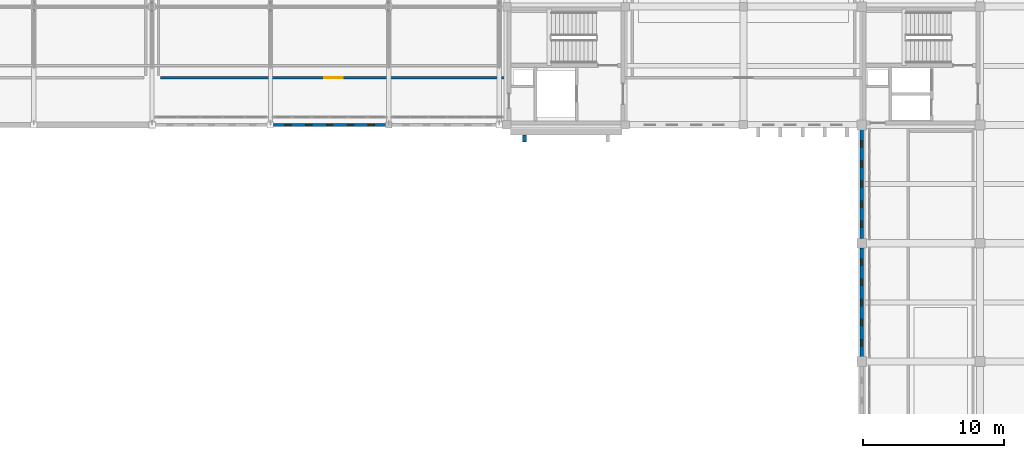
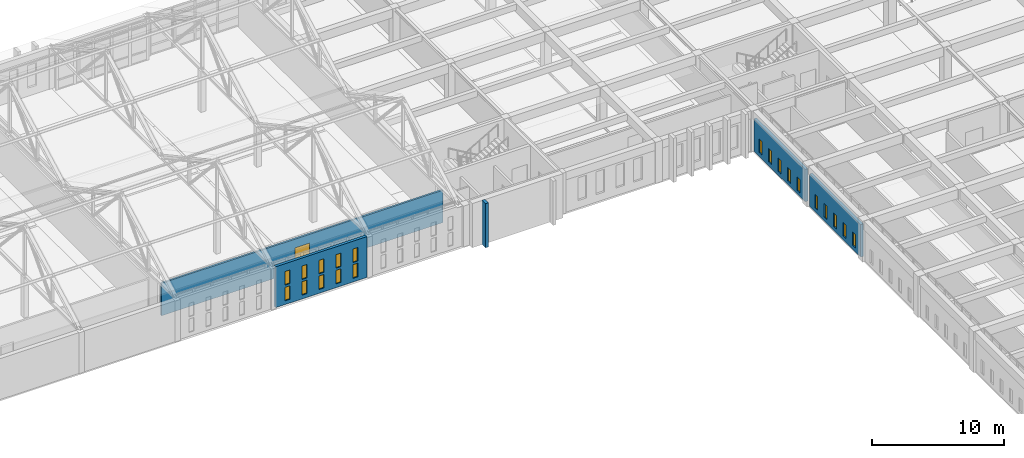
# One storey, part 91 of 110: 20 windows, 5 walls, 1 door, 21 openings.
"""IFC4 building model written with IfcOpenShell, lengths in metres."""

import ifcopenshell
import ifcopenshell.guid

model = None  # the IFC model being written
_history = None  # IfcOwnerHistory: only IFC2X3 demands one
_inside = {}  # id of a spatial element -> (the spatial element, [elements in it])
_under = {}  # id of a project, library or spatial element -> (it, [spatial elements below it])
_declared = {}  # id of a project -> (the project, [libraries it declares])
_typed = {}  # id of a type object -> (the type object, [elements of that type])
_made_of = {}  # id of a material, layer set ... -> (it, [elements and type objects made of it])


def new_model(schema):
    """Start an empty IFC model of exactly this schema.

    Asked for "IFC4X3", IfcOpenShell would pick the latest addendum, in which some entities
    have other attributes; the version numbers below select the first issue.
    IFC2X3 requires an IfcOwnerHistory on every rooted entity: one is made here for all.
    """
    global model, _history
    if schema == "IFC4X3":
        model = ifcopenshell.file(schema_version=(4, 3, 0, 0))
    else:
        model = ifcopenshell.file(schema=schema)
    _inside.clear()
    _under.clear()
    _declared.clear()
    _typed.clear()
    _made_of.clear()
    _history = None
    if model.schema == "IFC2X3":
        org = make("IfcOrganization", Name="unknown")
        user = make(
            "IfcPersonAndOrganization",
            ThePerson=make("IfcPerson", FamilyName="unknown"),
            TheOrganization=org,
        )
        app = make(
            "IfcApplication",
            ApplicationDeveloper=org,
            Version="unknown",
            ApplicationFullName="unknown",
            ApplicationIdentifier="unknown",
        )
        _history = make(
            "IfcOwnerHistory",
            OwningUser=user,
            OwningApplication=app,
            ChangeAction="ADDED",
            CreationDate=0,
        )
    return model


def make(cls, **values):
    """One entity of the class cls with the attributes given. An attribute that is None is left unset."""
    return model.create_entity(
        cls, **{name: value for name, value in values.items() if value is not None}
    )


def rooted(cls, **values):
    """An entity with a GlobalId (a new one), such as an element, a storey or a relation."""
    return make(cls, GlobalId=ifcopenshell.guid.new(), OwnerHistory=_history, **values)


def si_unit(unit_type, name, prefix=None):
    """IfcSIUnit, for example si_unit("LENGTHUNIT", "METRE", prefix="MILLI")."""
    return make("IfcSIUnit", UnitType=unit_type, Prefix=prefix, Name=name)


def assignment(units):
    """IfcUnitAssignment: the units of a project."""
    return None if units is None else make("IfcUnitAssignment", Units=units)


def point(xyz):
    """IfcCartesianPoint."""
    return None if xyz is None else make("IfcCartesianPoint", Coordinates=xyz)


def direction(xyz):
    """IfcDirection."""
    return None if xyz is None else make("IfcDirection", DirectionRatios=xyz)


def frame(location, z_axis=None, x_axis=None):
    """IfcAxis2Placement3D, a coordinate frame: its origin and axes. An axis left out is left unset."""
    return make(
        "IfcAxis2Placement3D",
        Location=point(location),
        Axis=direction(z_axis),
        RefDirection=direction(x_axis),
    )


def frame_2d(location, x_axis=None):
    """IfcAxis2Placement2D, a coordinate frame in the plane: its origin and x axis."""
    return make(
        "IfcAxis2Placement2D", Location=point(location), RefDirection=direction(x_axis)
    )


def origin():
    """The frame at (0, 0, 0) with its axes left unset."""
    return frame((0.0, 0.0, 0.0))


def place(relative_to, where):
    """IfcLocalPlacement: puts the frame where relative to a parent placement (None: the world)."""
    return make(
        "IfcLocalPlacement", PlacementRelTo=relative_to, RelativePlacement=where
    )


def context(
    kind, dimensions, precision=None, world=None, true_north=None, identifier=None
):
    """IfcGeometricRepresentationContext, for example the 3D "Model" context."""
    return make(
        "IfcGeometricRepresentationContext",
        ContextIdentifier=identifier,
        ContextType=kind,
        CoordinateSpaceDimension=dimensions,
        Precision=precision,
        WorldCoordinateSystem=world,
        TrueNorth=true_north,
    )


def subcontext(parent, identifier, kind, view, scale=None):
    """IfcGeometricRepresentationSubContext, for example "Body" below "Model"."""
    return make(
        "IfcGeometricRepresentationSubContext",
        ContextIdentifier=identifier,
        ContextType=kind,
        ParentContext=parent,
        TargetScale=scale,
        TargetView=view,
    )


def project(units=None, contexts=None):
    """IfcProject with its units and contexts."""
    return rooted(
        "IfcProject",
        Name="project",
        RepresentationContexts=contexts,
        UnitsInContext=assignment(units),
    )


def spatial(cls, under=None, at=None, **own):
    """A site, building, storey or space (cls), placed at a placement, below another one or the project."""
    s = rooted(cls, ObjectPlacement=at, **own)
    if under is not None:
        _under.setdefault(under.id(), (under, []))[1].append(s)
    return s


def profile(cls, at=None, kind="AREA", **sizes):
    """A parametric profile (cls). Its sizes go by their IFC names, for example OverallWidth=200.0."""
    return make(cls, ProfileType=kind, Position=at, **sizes)


def rectangle(**sizes):
    """IfcRectangleProfileDef."""
    return profile("IfcRectangleProfileDef", **sizes)


def extrude(swept, where, along, depth):
    """IfcExtrudedAreaSolid: the profile swept, set in the frame where, extruded along a direction by depth."""
    return make(
        "IfcExtrudedAreaSolid",
        SweptArea=swept,
        Position=where,
        ExtrudedDirection=direction(along),
        Depth=depth,
    )


def shape(context_of_items, identifier, shape_type, items):
    """IfcShapeRepresentation: the items that make up one representation, for example the "Body"."""
    return make(
        "IfcShapeRepresentation",
        ContextOfItems=context_of_items,
        RepresentationIdentifier=identifier,
        RepresentationType=shape_type,
        Items=items,
    )


def material(Name=None, Category=None):
    """IfcMaterial."""
    return make("IfcMaterial", Name=Name, Category=Category)


def layer(
    of_material, thickness, ventilated=None, Name=None, Category=None, Priority=None
):
    """IfcMaterialLayer: one layer of a wall or slab, of a material (None: an air gap)."""
    return make(
        "IfcMaterialLayer",
        Material=of_material,
        LayerThickness=thickness,
        IsVentilated=ventilated,
        Name=Name,
        Category=Category,
        Priority=Priority,
    )


def layer_set(layers, Name=None):
    """IfcMaterialLayerSet."""
    return make("IfcMaterialLayerSet", MaterialLayers=layers, LayerSetName=Name)


def made_of(thing, what):
    """Note that an element or type object is made of a material, layer set ...; save() writes the relation."""
    if what is not None:
        _made_of.setdefault(what.id(), (what, []))[1].append(thing)
    return thing


def type_object(cls, material=None, **own):
    """A type object (cls), such as IfcWallType, which elements share."""
    return made_of(rooted(cls, **own), material)


def element(
    cls,
    number,
    at=None,
    inside=None,
    cuts=None,
    type_object=None,
    material=None,
    context=None,
    identifier="Body",
    shape_type=None,
    held_by="IfcProductDefinitionShape",
    body=None,
    shapes=None,
    **own,
):
    """One element of the class cls, such as IfcWall. Its Tag is "e" and its number.

    at: its placement. inside: the storey or other place that contains it. cuts: it is an
    opening in that element (IfcRelVoidsElement). A single representation is given by context,
    identifier, shape_type and body (its items); several are given by shapes. held_by: the class
    of the entity that holds the representations. save() writes the other relations.
    """
    e = rooted(cls, Tag="e%d" % number, ObjectPlacement=at, **own)
    if body is not None:
        shapes = [shape(context, identifier, shape_type, body)]
    if shapes is not None:
        e.Representation = make(held_by, Representations=shapes)
    if inside is not None:
        _inside.setdefault(inside.id(), (inside, []))[1].append(e)
    if cuts is not None:
        rooted(
            "IfcRelVoidsElement", RelatingBuildingElement=cuts, RelatedOpeningElement=e
        )
    if type_object is not None:
        _typed.setdefault(type_object.id(), (type_object, []))[1].append(e)
    return made_of(e, material)


def fill(opening, filler):
    """IfcRelFillsElement: the door or window that sits in an opening."""
    return rooted(
        "IfcRelFillsElement",
        RelatingOpeningElement=opening,
        RelatedBuildingElement=filler,
    )


def aggregate(whole, parts):
    """IfcRelAggregates: a whole, such as a stair, and the parts it consists of."""
    return rooted("IfcRelAggregates", RelatingObject=whole, RelatedObjects=parts)


def save(model, path):
    """Write the relations noted so far, then the file.

    IfcRelAggregates (storeys below a building ...), IfcRelContainedInSpatialStructure (elements
    in a storey), IfcRelDefinesByType, IfcRelAssociatesMaterial and IfcRelDeclares: one each for
    every whole, place, type object, material and project.
    """
    for whole, parts in _under.values():
        aggregate(whole, parts)
    for where, things in _inside.values():
        rooted(
            "IfcRelContainedInSpatialStructure",
            RelatedElements=things,
            RelatingStructure=where,
        )
    for kind, things in _typed.values():
        rooted("IfcRelDefinesByType", RelatedObjects=things, RelatingType=kind)
    for what, things in _made_of.values():
        rooted("IfcRelAssociatesMaterial", RelatedObjects=things, RelatingMaterial=what)
    for by, libraries in _declared.values():
        rooted("IfcRelDeclares", RelatingContext=by, RelatedDefinitions=libraries)
    model.write(path)


model = new_model("IFC4")

# Units and contexts
model_context = context("Model", 3, precision=1e-05, world=origin(), true_north=direction((0.0, 1.0)))
body_context = subcontext(model_context, "Body", "Model", "MODEL_VIEW")
ifc_project = project(units=[si_unit("LENGTHUNIT", "METRE"), si_unit("AREAUNIT", "SQUARE_METRE"), si_unit("VOLUMEUNIT", "CUBIC_METRE"), si_unit("PLANEANGLEUNIT", "RADIAN"), si_unit("MASSUNIT", "GRAM", prefix="KILO")], contexts=[model_context])

# Site, building, storey
site_placement = place(None, origin())
site = spatial("IfcSite", under=ifc_project, at=site_placement, CompositionType="ELEMENT")
building_placement = place(site_placement, origin())
building = spatial("IfcBuilding", under=site, at=building_placement, Name="Kveldsbrygga Polytechnic", CompositionType="ELEMENT")
storey_placement = place(building_placement, frame((0.0, 0.0, 9.860107421875)))
storey = spatial("IfcBuildingStorey", under=building, at=storey_placement, Name="L02", CompositionType="ELEMENT", Elevation=9.860107421875)

# Wall
ifc_material_1 = material(Name="Fired clay brick masonry M10", Category="masonry")
ifc_layer_1 = layer(ifc_material_1, 0.260009765625)
ifc_layer_set_1 = layer_set([ifc_layer_1], Name="Fired clay brick masonry M10")
wall_type_1 = type_object("IfcWallType", Name="EW-BUTT-260", PredefinedType="SOLIDWALL", material=ifc_layer_set_1)
wall_1_placement = place(storey_placement, frame((102.050048828125, 83.300048828125, 0.0), z_axis=(0.0, 0.0, 1.0), x_axis=(0.0, -1.0, 0.0)))
element("IfcWall", 1, at=wall_1_placement, inside=storey, type_object=wall_type_1, Name="Gothic Brick Buttress Pier BCLAS-L02-X-12-10-1", PredefinedType="SOLIDWALL", context=body_context, shape_type="SweptSolid", body=[
    extrude(rectangle(XDim=0.52001953125, YDim=0.260009765625, at=frame_2d((0.260009765625, 0.0))), origin(), (0.0, 0.0, 1.0), 4.079833984375),
])

# Wall, openings, windows
ifc_layer_2 = layer(ifc_material_1, 0.239990234375)
ifc_layer_set_2 = layer_set([ifc_layer_2], Name="Fired clay brick masonry M10")
wall_type_2 = type_object("IfcWallType", Name="EW-SCRN-240", PredefinedType="SOLIDWALL", material=ifc_layer_set_2)
wall_2_placement = place(storey_placement, frame((84.2099609375, 84.0, 0.0), z_axis=(0.0, 0.0, 1.0), x_axis=(1.0, 0.0, 0.0)))
wall_2 = element("IfcWall", 2, at=wall_2_placement, inside=storey, type_object=wall_type_2, Name="Perforated Brick Corridor Screen Wall SCRW-L02-X-10-10", PredefinedType="SOLIDWALL", context=body_context, shape_type="SweptSolid", body=[
    extrude(rectangle(XDim=7.9951171875, YDim=0.239990234375, at=frame_2d((3.99755859375, 0.0))), origin(), (0.0, 0.0, 1.0), 3.77978515625),
])
opening_1_placement = place(wall_2_placement, frame((0.819580078125, 0.0, 0.35009765625)))
opening_1 = element("IfcOpeningElement", 3, at=opening_1_placement, cuts=wall_2, Name="Opening W-48", PredefinedType="OPENING", context=body_context, shape_type="SweptSolid", body=[
    extrude(rectangle(XDim=0.43994140625, YDim=1.25, at=frame_2d((0.219970703125, 0.625))), frame((0.0, 0.1298828125, 0.0), z_axis=(0.0, -1.0, 0.0), x_axis=(1.0, 0.0, 0.0)), (0.0, 0.0, 1.0), 0.260009765625),
])
opening_2_placement = place(wall_2_placement, frame((2.298583984375, 0.0, 0.35009765625)))
opening_2 = element("IfcOpeningElement", 4, at=opening_2_placement, cuts=wall_2, Name="Opening W-48", PredefinedType="OPENING", context=body_context, shape_type="SweptSolid", body=[
    extrude(rectangle(XDim=0.43994140625, YDim=1.25, at=frame_2d((0.219970703125, 0.625))), frame((0.0, 0.1298828125, 0.0), z_axis=(0.0, -1.0, 0.0), x_axis=(1.0, 0.0, 0.0)), (0.0, 0.0, 1.0), 0.260009765625),
])
opening_3_placement = place(wall_2_placement, frame((3.777587890625, 0.0, 0.35009765625)))
opening_3 = element("IfcOpeningElement", 5, at=opening_3_placement, cuts=wall_2, Name="Opening W-48", PredefinedType="OPENING", context=body_context, shape_type="SweptSolid", body=[
    extrude(rectangle(XDim=0.43994140625, YDim=1.25, at=frame_2d((0.219970703125, 0.625))), frame((0.0, 0.1298828125, 0.0), z_axis=(0.0, -1.0, 0.0), x_axis=(1.0, 0.0, 0.0)), (0.0, 0.0, 1.0), 0.260009765625),
])
opening_4_placement = place(wall_2_placement, frame((5.256591796875, 0.0, 0.35009765625)))
opening_4 = element("IfcOpeningElement", 6, at=opening_4_placement, cuts=wall_2, Name="Opening W-48", PredefinedType="OPENING", context=body_context, shape_type="SweptSolid", body=[
    extrude(rectangle(XDim=0.43994140625, YDim=1.25, at=frame_2d((0.219970703125, 0.625))), frame((0.0, 0.1298828125, 0.0), z_axis=(0.0, -1.0, 0.0), x_axis=(1.0, 0.0, 0.0)), (0.0, 0.0, 1.0), 0.260009765625),
])
opening_5_placement = place(wall_2_placement, frame((6.735595703125, 0.0, 0.35009765625)))
opening_5 = element("IfcOpeningElement", 7, at=opening_5_placement, cuts=wall_2, Name="Opening W-48", PredefinedType="OPENING", context=body_context, shape_type="SweptSolid", body=[
    extrude(rectangle(XDim=0.43994140625, YDim=1.25, at=frame_2d((0.219970703125, 0.625))), frame((0.0, 0.1298828125, 0.0), z_axis=(0.0, -1.0, 0.0), x_axis=(1.0, 0.0, 0.0)), (0.0, 0.0, 1.0), 0.260009765625),
])
opening_6_placement = place(wall_2_placement, frame((0.819580078125, 0.0, 1.800048828125)))
opening_6 = element("IfcOpeningElement", 8, at=opening_6_placement, cuts=wall_2, Name="Opening W-48", PredefinedType="OPENING", context=body_context, shape_type="SweptSolid", body=[
    extrude(rectangle(XDim=0.43994140625, YDim=1.25, at=frame_2d((0.219970703125, 0.625))), frame((0.0, 0.1298828125, 0.0), z_axis=(0.0, -1.0, 0.0), x_axis=(1.0, 0.0, 0.0)), (0.0, 0.0, 1.0), 0.260009765625),
])
opening_7_placement = place(wall_2_placement, frame((2.298583984375, 0.0, 1.800048828125)))
opening_7 = element("IfcOpeningElement", 9, at=opening_7_placement, cuts=wall_2, Name="Opening W-48", PredefinedType="OPENING", context=body_context, shape_type="SweptSolid", body=[
    extrude(rectangle(XDim=0.43994140625, YDim=1.25, at=frame_2d((0.219970703125, 0.625))), frame((0.0, 0.1298828125, 0.0), z_axis=(0.0, -1.0, 0.0), x_axis=(1.0, 0.0, 0.0)), (0.0, 0.0, 1.0), 0.260009765625),
])
opening_8_placement = place(wall_2_placement, frame((3.777587890625, 0.0, 1.800048828125)))
opening_8 = element("IfcOpeningElement", 10, at=opening_8_placement, cuts=wall_2, Name="Opening W-48", PredefinedType="OPENING", context=body_context, shape_type="SweptSolid", body=[
    extrude(rectangle(XDim=0.43994140625, YDim=1.25, at=frame_2d((0.219970703125, 0.625))), frame((0.0, 0.1298828125, 0.0), z_axis=(0.0, -1.0, 0.0), x_axis=(1.0, 0.0, 0.0)), (0.0, 0.0, 1.0), 0.260009765625),
])
opening_9_placement = place(wall_2_placement, frame((5.256591796875, 0.0, 1.800048828125)))
opening_9 = element("IfcOpeningElement", 11, at=opening_9_placement, cuts=wall_2, Name="Opening W-48", PredefinedType="OPENING", context=body_context, shape_type="SweptSolid", body=[
    extrude(rectangle(XDim=0.43994140625, YDim=1.25, at=frame_2d((0.219970703125, 0.625))), frame((0.0, 0.1298828125, 0.0), z_axis=(0.0, -1.0, 0.0), x_axis=(1.0, 0.0, 0.0)), (0.0, 0.0, 1.0), 0.260009765625),
])
opening_10_placement = place(wall_2_placement, frame((6.735595703125, 0.0, 1.800048828125)))
opening_10 = element("IfcOpeningElement", 12, at=opening_10_placement, cuts=wall_2, Name="Opening W-48", PredefinedType="OPENING", context=body_context, shape_type="SweptSolid", body=[
    extrude(rectangle(XDim=0.43994140625, YDim=1.25, at=frame_2d((0.219970703125, 0.625))), frame((0.0, 0.1298828125, 0.0), z_axis=(0.0, -1.0, 0.0), x_axis=(1.0, 0.0, 0.0)), (0.0, 0.0, 1.0), 0.260009765625),
])
ifc_material_2 = material(Name="Insulated triple low-E glass", Category="glass")
window_type = type_object("IfcWindowType", Name="WN-SCRN-044x125", PartitioningType="SINGLE_PANEL", PredefinedType="WINDOW", material=ifc_material_2)
window_1_placement = place(opening_1_placement, origin())
window_1 = element("IfcWindow", 13, at=window_1_placement, inside=storey, type_object=window_type, Name="Perforated Screen Aperture L02-X-10-10-1", OverallHeight=1.25, OverallWidth=0.43994140625, PartitioningType="SINGLE_PANEL", PredefinedType="WINDOW", context=body_context, shape_type="SweptSolid", body=[
    extrude(rectangle(XDim=0.43994140625, YDim=1.25, at=frame_2d((0.219970703125, 0.625))), frame((0.0, 0.030029296875, 0.0), z_axis=(0.0, -1.0, 0.0), x_axis=(1.0, 0.0, 0.0)), (0.0, 0.0, 1.0), 0.06005859375),
])
fill(opening_1, window_1)
window_2_placement = place(opening_2_placement, origin())
window_2 = element("IfcWindow", 14, at=window_2_placement, inside=storey, type_object=window_type, Name="Perforated Screen Aperture L02-X-10-10-2", OverallHeight=1.25, OverallWidth=0.43994140625, PartitioningType="SINGLE_PANEL", PredefinedType="WINDOW", context=body_context, shape_type="SweptSolid", body=[
    extrude(rectangle(XDim=0.43994140625, YDim=1.25, at=frame_2d((0.219970703125, 0.625))), frame((0.0, 0.030029296875, 0.0), z_axis=(0.0, -1.0, 0.0), x_axis=(1.0, 0.0, 0.0)), (0.0, 0.0, 1.0), 0.06005859375),
])
fill(opening_2, window_2)
window_3_placement = place(opening_3_placement, origin())
window_3 = element("IfcWindow", 15, at=window_3_placement, inside=storey, type_object=window_type, Name="Perforated Screen Aperture L02-X-10-10-3", OverallHeight=1.25, OverallWidth=0.43994140625, PartitioningType="SINGLE_PANEL", PredefinedType="WINDOW", context=body_context, shape_type="SweptSolid", body=[
    extrude(rectangle(XDim=0.43994140625, YDim=1.25, at=frame_2d((0.219970703125, 0.625))), frame((0.0, 0.030029296875, 0.0), z_axis=(0.0, -1.0, 0.0), x_axis=(1.0, 0.0, 0.0)), (0.0, 0.0, 1.0), 0.06005859375),
])
fill(opening_3, window_3)
window_4_placement = place(opening_4_placement, origin())
window_4 = element("IfcWindow", 16, at=window_4_placement, inside=storey, type_object=window_type, Name="Perforated Screen Aperture L02-X-10-10-4", OverallHeight=1.25, OverallWidth=0.43994140625, PartitioningType="SINGLE_PANEL", PredefinedType="WINDOW", context=body_context, shape_type="SweptSolid", body=[
    extrude(rectangle(XDim=0.43994140625, YDim=1.25, at=frame_2d((0.219970703125, 0.625))), frame((0.0, 0.030029296875, 0.0), z_axis=(0.0, -1.0, 0.0), x_axis=(1.0, 0.0, 0.0)), (0.0, 0.0, 1.0), 0.06005859375),
])
fill(opening_4, window_4)
window_5_placement = place(opening_5_placement, origin())
window_5 = element("IfcWindow", 17, at=window_5_placement, inside=storey, type_object=window_type, Name="Perforated Screen Aperture L02-X-10-10-5", OverallHeight=1.25, OverallWidth=0.43994140625, PartitioningType="SINGLE_PANEL", PredefinedType="WINDOW", context=body_context, shape_type="SweptSolid", body=[
    extrude(rectangle(XDim=0.43994140625, YDim=1.25, at=frame_2d((0.219970703125, 0.625))), frame((0.0, 0.030029296875, 0.0), z_axis=(0.0, -1.0, 0.0), x_axis=(1.0, 0.0, 0.0)), (0.0, 0.0, 1.0), 0.06005859375),
])
fill(opening_5, window_5)
window_6_placement = place(opening_6_placement, origin())
window_6 = element("IfcWindow", 18, at=window_6_placement, inside=storey, type_object=window_type, Name="Perforated Screen Aperture L02-X-10-10-6", OverallHeight=1.25, OverallWidth=0.43994140625, PartitioningType="SINGLE_PANEL", PredefinedType="WINDOW", context=body_context, shape_type="SweptSolid", body=[
    extrude(rectangle(XDim=0.43994140625, YDim=1.25, at=frame_2d((0.219970703125, 0.625))), frame((0.0, 0.030029296875, 0.0), z_axis=(0.0, -1.0, 0.0), x_axis=(1.0, 0.0, 0.0)), (0.0, 0.0, 1.0), 0.06005859375),
])
fill(opening_6, window_6)
window_7_placement = place(opening_7_placement, origin())
window_7 = element("IfcWindow", 19, at=window_7_placement, inside=storey, type_object=window_type, Name="Perforated Screen Aperture L02-X-10-10-7", OverallHeight=1.25, OverallWidth=0.43994140625, PartitioningType="SINGLE_PANEL", PredefinedType="WINDOW", context=body_context, shape_type="SweptSolid", body=[
    extrude(rectangle(XDim=0.43994140625, YDim=1.25, at=frame_2d((0.219970703125, 0.625))), frame((0.0, 0.030029296875, 0.0), z_axis=(0.0, -1.0, 0.0), x_axis=(1.0, 0.0, 0.0)), (0.0, 0.0, 1.0), 0.06005859375),
])
fill(opening_7, window_7)
window_8_placement = place(opening_8_placement, origin())
window_8 = element("IfcWindow", 20, at=window_8_placement, inside=storey, type_object=window_type, Name="Perforated Screen Aperture L02-X-10-10-8", OverallHeight=1.25, OverallWidth=0.43994140625, PartitioningType="SINGLE_PANEL", PredefinedType="WINDOW", context=body_context, shape_type="SweptSolid", body=[
    extrude(rectangle(XDim=0.43994140625, YDim=1.25, at=frame_2d((0.219970703125, 0.625))), frame((0.0, 0.030029296875, 0.0), z_axis=(0.0, -1.0, 0.0), x_axis=(1.0, 0.0, 0.0)), (0.0, 0.0, 1.0), 0.06005859375),
])
fill(opening_8, window_8)
window_9_placement = place(opening_9_placement, origin())
window_9 = element("IfcWindow", 21, at=window_9_placement, inside=storey, type_object=window_type, Name="Perforated Screen Aperture L02-X-10-10-9", OverallHeight=1.25, OverallWidth=0.43994140625, PartitioningType="SINGLE_PANEL", PredefinedType="WINDOW", context=body_context, shape_type="SweptSolid", body=[
    extrude(rectangle(XDim=0.43994140625, YDim=1.25, at=frame_2d((0.219970703125, 0.625))), frame((0.0, 0.030029296875, 0.0), z_axis=(0.0, -1.0, 0.0), x_axis=(1.0, 0.0, 0.0)), (0.0, 0.0, 1.0), 0.06005859375),
])
fill(opening_9, window_9)
window_10_placement = place(opening_10_placement, origin())
window_10 = element("IfcWindow", 22, at=window_10_placement, inside=storey, type_object=window_type, Name="Perforated Screen Aperture L02-X-10-10-10", OverallHeight=1.25, OverallWidth=0.43994140625, PartitioningType="SINGLE_PANEL", PredefinedType="WINDOW", context=body_context, shape_type="SweptSolid", body=[
    extrude(rectangle(XDim=0.43994140625, YDim=1.25, at=frame_2d((0.219970703125, 0.625))), frame((0.0, 0.030029296875, 0.0), z_axis=(0.0, -1.0, 0.0), x_axis=(1.0, 0.0, 0.0)), (0.0, 0.0, 1.0), 0.06005859375),
])
fill(opening_10, window_10)

wall_3_placement = place(storey_placement, frame((126.0, 67.52490234375, 0.0), z_axis=(0.0, 0.0, 1.0), x_axis=(0.0, 1.0, 0.0)))
wall_3 = element("IfcWall", 23, at=wall_3_placement, inside=storey, type_object=wall_type_2, Name="Perforated Brick Corridor Screen Wall SCRW-L02-Y-15-08", PredefinedType="SOLIDWALL", context=body_context, shape_type="SweptSolid", body=[
    extrude(rectangle(XDim=7.739990234375, YDim=0.239990234375, at=frame_2d((3.8701171875, 0.0))), origin(), (0.0, 0.0, 1.0), 3.0),
])
opening_11_placement = place(wall_3_placement, frame((0.7939453125, 0.0, 0.35009765625)))
opening_11 = element("IfcOpeningElement", 24, at=opening_11_placement, cuts=wall_3, Name="Opening W-48", PredefinedType="OPENING", context=body_context, shape_type="SweptSolid", body=[
    extrude(rectangle(XDim=0.43994140625, YDim=1.25, at=frame_2d((0.219970703125, 0.625))), frame((0.0, 0.1298828125, 0.0), z_axis=(0.0, -1.0, 0.0), x_axis=(1.0, 0.0, 0.0)), (0.0, 0.0, 1.0), 0.260009765625),
])
opening_12_placement = place(wall_3_placement, frame((2.221923828125, 0.0, 0.35009765625)))
opening_12 = element("IfcOpeningElement", 25, at=opening_12_placement, cuts=wall_3, Name="Opening W-48", PredefinedType="OPENING", context=body_context, shape_type="SweptSolid", body=[
    extrude(rectangle(XDim=0.43994140625, YDim=1.25, at=frame_2d((0.219970703125, 0.625))), frame((0.0, 0.1298828125, 0.0), z_axis=(0.0, -1.0, 0.0), x_axis=(1.0, 0.0, 0.0)), (0.0, 0.0, 1.0), 0.260009765625),
])
opening_13_placement = place(wall_3_placement, frame((3.64990234375, 0.0, 0.35009765625)))
opening_13 = element("IfcOpeningElement", 26, at=opening_13_placement, cuts=wall_3, Name="Opening W-48", PredefinedType="OPENING", context=body_context, shape_type="SweptSolid", body=[
    extrude(rectangle(XDim=0.43994140625, YDim=1.25, at=frame_2d((0.219970703125, 0.625))), frame((0.0, 0.1298828125, 0.0), z_axis=(0.0, -1.0, 0.0), x_axis=(1.0, 0.0, 0.0)), (0.0, 0.0, 1.0), 0.260009765625),
])
opening_14_placement = place(wall_3_placement, frame((5.077880859375, 0.0, 0.35009765625)))
opening_14 = element("IfcOpeningElement", 27, at=opening_14_placement, cuts=wall_3, Name="Opening W-48", PredefinedType="OPENING", context=body_context, shape_type="SweptSolid", body=[
    extrude(rectangle(XDim=0.43994140625, YDim=1.25, at=frame_2d((0.219970703125, 0.625))), frame((0.0, 0.1298828125, 0.0), z_axis=(0.0, -1.0, 0.0), x_axis=(1.0, 0.0, 0.0)), (0.0, 0.0, 1.0), 0.260009765625),
])
opening_15_placement = place(wall_3_placement, frame((6.506103515625, 0.0, 0.35009765625)))
opening_15 = element("IfcOpeningElement", 28, at=opening_15_placement, cuts=wall_3, Name="Opening W-48", PredefinedType="OPENING", context=body_context, shape_type="SweptSolid", body=[
    extrude(rectangle(XDim=0.43994140625, YDim=1.25, at=frame_2d((0.219970703125, 0.625))), frame((0.0, 0.1298828125, 0.0), z_axis=(0.0, -1.0, 0.0), x_axis=(1.0, 0.0, 0.0)), (0.0, 0.0, 1.0), 0.260009765625),
])
window_11_placement = place(opening_11_placement, origin())
window_11 = element("IfcWindow", 29, at=window_11_placement, inside=storey, type_object=window_type, Name="Perforated Screen Aperture L02-Y-15-08-1", OverallHeight=1.25, OverallWidth=0.43994140625, PartitioningType="SINGLE_PANEL", PredefinedType="WINDOW", context=body_context, shape_type="SweptSolid", body=[
    extrude(rectangle(XDim=0.43994140625, YDim=1.25, at=frame_2d((0.219970703125, 0.625))), frame((0.0, 0.030029296875, 0.0), z_axis=(0.0, -1.0, 0.0), x_axis=(1.0, 0.0, 0.0)), (0.0, 0.0, 1.0), 0.06005859375),
])
fill(opening_11, window_11)
window_12_placement = place(opening_12_placement, origin())
window_12 = element("IfcWindow", 30, at=window_12_placement, inside=storey, type_object=window_type, Name="Perforated Screen Aperture L02-Y-15-08-2", OverallHeight=1.25, OverallWidth=0.43994140625, PartitioningType="SINGLE_PANEL", PredefinedType="WINDOW", context=body_context, shape_type="SweptSolid", body=[
    extrude(rectangle(XDim=0.43994140625, YDim=1.25, at=frame_2d((0.219970703125, 0.625))), frame((0.0, 0.030029296875, 0.0), z_axis=(0.0, -1.0, 0.0), x_axis=(1.0, 0.0, 0.0)), (0.0, 0.0, 1.0), 0.06005859375),
])
fill(opening_12, window_12)
window_13_placement = place(opening_13_placement, origin())
window_13 = element("IfcWindow", 31, at=window_13_placement, inside=storey, type_object=window_type, Name="Perforated Screen Aperture L02-Y-15-08-3", OverallHeight=1.25, OverallWidth=0.43994140625, PartitioningType="SINGLE_PANEL", PredefinedType="WINDOW", context=body_context, shape_type="SweptSolid", body=[
    extrude(rectangle(XDim=0.43994140625, YDim=1.25, at=frame_2d((0.219970703125, 0.625))), frame((0.0, 0.030029296875, 0.0), z_axis=(0.0, -1.0, 0.0), x_axis=(1.0, 0.0, 0.0)), (0.0, 0.0, 1.0), 0.06005859375),
])
fill(opening_13, window_13)
window_14_placement = place(opening_14_placement, origin())
window_14 = element("IfcWindow", 32, at=window_14_placement, inside=storey, type_object=window_type, Name="Perforated Screen Aperture L02-Y-15-08-4", OverallHeight=1.25, OverallWidth=0.43994140625, PartitioningType="SINGLE_PANEL", PredefinedType="WINDOW", context=body_context, shape_type="SweptSolid", body=[
    extrude(rectangle(XDim=0.43994140625, YDim=1.25, at=frame_2d((0.219970703125, 0.625))), frame((0.0, 0.030029296875, 0.0), z_axis=(0.0, -1.0, 0.0), x_axis=(1.0, 0.0, 0.0)), (0.0, 0.0, 1.0), 0.06005859375),
])
fill(opening_14, window_14)
window_15_placement = place(opening_15_placement, origin())
window_15 = element("IfcWindow", 33, at=window_15_placement, inside=storey, type_object=window_type, Name="Perforated Screen Aperture L02-Y-15-08-5", OverallHeight=1.25, OverallWidth=0.43994140625, PartitioningType="SINGLE_PANEL", PredefinedType="WINDOW", context=body_context, shape_type="SweptSolid", body=[
    extrude(rectangle(XDim=0.43994140625, YDim=1.25, at=frame_2d((0.219970703125, 0.625))), frame((0.0, 0.030029296875, 0.0), z_axis=(0.0, -1.0, 0.0), x_axis=(1.0, 0.0, 0.0)), (0.0, 0.0, 1.0), 0.06005859375),
])
fill(opening_15, window_15)

wall_4_placement = place(storey_placement, frame((126.0, 75.93505859375, 0.0), z_axis=(0.0, 0.0, 1.0), x_axis=(0.0, 1.0, 0.0)))
wall_4 = element("IfcWall", 34, at=wall_4_placement, inside=storey, type_object=wall_type_2, Name="Perforated Brick Corridor Screen Wall SCRW-L02-Y-15-09", PredefinedType="SOLIDWALL", context=body_context, shape_type="SweptSolid", body=[
    extrude(rectangle(XDim=7.739990234375, YDim=0.239990234375, at=frame_2d((3.8701171875, 0.0))), origin(), (0.0, 0.0, 1.0), 3.0),
])
opening_16_placement = place(wall_4_placement, frame((0.7939453125, 0.0, 0.35009765625)))
opening_16 = element("IfcOpeningElement", 35, at=opening_16_placement, cuts=wall_4, Name="Opening W-48", PredefinedType="OPENING", context=body_context, shape_type="SweptSolid", body=[
    extrude(rectangle(XDim=0.43994140625, YDim=1.25, at=frame_2d((0.219970703125, 0.625))), frame((0.0, 0.1298828125, 0.0), z_axis=(0.0, -1.0, 0.0), x_axis=(1.0, 0.0, 0.0)), (0.0, 0.0, 1.0), 0.260009765625),
])
opening_17_placement = place(wall_4_placement, frame((2.221923828125, 0.0, 0.35009765625)))
opening_17 = element("IfcOpeningElement", 36, at=opening_17_placement, cuts=wall_4, Name="Opening W-48", PredefinedType="OPENING", context=body_context, shape_type="SweptSolid", body=[
    extrude(rectangle(XDim=0.43994140625, YDim=1.25, at=frame_2d((0.219970703125, 0.625))), frame((0.0, 0.1298828125, 0.0), z_axis=(0.0, -1.0, 0.0), x_axis=(1.0, 0.0, 0.0)), (0.0, 0.0, 1.0), 0.260009765625),
])
opening_18_placement = place(wall_4_placement, frame((3.64990234375, 0.0, 0.35009765625)))
opening_18 = element("IfcOpeningElement", 37, at=opening_18_placement, cuts=wall_4, Name="Opening W-48", PredefinedType="OPENING", context=body_context, shape_type="SweptSolid", body=[
    extrude(rectangle(XDim=0.43994140625, YDim=1.25, at=frame_2d((0.219970703125, 0.625))), frame((0.0, 0.1298828125, 0.0), z_axis=(0.0, -1.0, 0.0), x_axis=(1.0, 0.0, 0.0)), (0.0, 0.0, 1.0), 0.260009765625),
])
opening_19_placement = place(wall_4_placement, frame((5.077880859375, 0.0, 0.35009765625)))
opening_19 = element("IfcOpeningElement", 38, at=opening_19_placement, cuts=wall_4, Name="Opening W-48", PredefinedType="OPENING", context=body_context, shape_type="SweptSolid", body=[
    extrude(rectangle(XDim=0.43994140625, YDim=1.25, at=frame_2d((0.219970703125, 0.625))), frame((0.0, 0.1298828125, 0.0), z_axis=(0.0, -1.0, 0.0), x_axis=(1.0, 0.0, 0.0)), (0.0, 0.0, 1.0), 0.260009765625),
])
opening_20_placement = place(wall_4_placement, frame((6.506103515625, 0.0, 0.35009765625)))
opening_20 = element("IfcOpeningElement", 39, at=opening_20_placement, cuts=wall_4, Name="Opening W-48", PredefinedType="OPENING", context=body_context, shape_type="SweptSolid", body=[
    extrude(rectangle(XDim=0.43994140625, YDim=1.25, at=frame_2d((0.219970703125, 0.625))), frame((0.0, 0.1298828125, 0.0), z_axis=(0.0, -1.0, 0.0), x_axis=(1.0, 0.0, 0.0)), (0.0, 0.0, 1.0), 0.260009765625),
])
window_16_placement = place(opening_16_placement, origin())
window_16 = element("IfcWindow", 40, at=window_16_placement, inside=storey, type_object=window_type, Name="Perforated Screen Aperture L02-Y-15-09-1", OverallHeight=1.25, OverallWidth=0.43994140625, PartitioningType="SINGLE_PANEL", PredefinedType="WINDOW", context=body_context, shape_type="SweptSolid", body=[
    extrude(rectangle(XDim=0.43994140625, YDim=1.25, at=frame_2d((0.219970703125, 0.625))), frame((0.0, 0.030029296875, 0.0), z_axis=(0.0, -1.0, 0.0), x_axis=(1.0, 0.0, 0.0)), (0.0, 0.0, 1.0), 0.06005859375),
])
fill(opening_16, window_16)
window_17_placement = place(opening_17_placement, origin())
window_17 = element("IfcWindow", 41, at=window_17_placement, inside=storey, type_object=window_type, Name="Perforated Screen Aperture L02-Y-15-09-2", OverallHeight=1.25, OverallWidth=0.43994140625, PartitioningType="SINGLE_PANEL", PredefinedType="WINDOW", context=body_context, shape_type="SweptSolid", body=[
    extrude(rectangle(XDim=0.43994140625, YDim=1.25, at=frame_2d((0.219970703125, 0.625))), frame((0.0, 0.030029296875, 0.0), z_axis=(0.0, -1.0, 0.0), x_axis=(1.0, 0.0, 0.0)), (0.0, 0.0, 1.0), 0.06005859375),
])
fill(opening_17, window_17)
window_18_placement = place(opening_18_placement, origin())
window_18 = element("IfcWindow", 42, at=window_18_placement, inside=storey, type_object=window_type, Name="Perforated Screen Aperture L02-Y-15-09-3", OverallHeight=1.25, OverallWidth=0.43994140625, PartitioningType="SINGLE_PANEL", PredefinedType="WINDOW", context=body_context, shape_type="SweptSolid", body=[
    extrude(rectangle(XDim=0.43994140625, YDim=1.25, at=frame_2d((0.219970703125, 0.625))), frame((0.0, 0.030029296875, 0.0), z_axis=(0.0, -1.0, 0.0), x_axis=(1.0, 0.0, 0.0)), (0.0, 0.0, 1.0), 0.06005859375),
])
fill(opening_18, window_18)
window_19_placement = place(opening_19_placement, origin())
window_19 = element("IfcWindow", 43, at=window_19_placement, inside=storey, type_object=window_type, Name="Perforated Screen Aperture L02-Y-15-09-4", OverallHeight=1.25, OverallWidth=0.43994140625, PartitioningType="SINGLE_PANEL", PredefinedType="WINDOW", context=body_context, shape_type="SweptSolid", body=[
    extrude(rectangle(XDim=0.43994140625, YDim=1.25, at=frame_2d((0.219970703125, 0.625))), frame((0.0, 0.030029296875, 0.0), z_axis=(0.0, -1.0, 0.0), x_axis=(1.0, 0.0, 0.0)), (0.0, 0.0, 1.0), 0.06005859375),
])
fill(opening_19, window_19)
window_20_placement = place(opening_20_placement, origin())
window_20 = element("IfcWindow", 44, at=window_20_placement, inside=storey, type_object=window_type, Name="Perforated Screen Aperture L02-Y-15-09-5", OverallHeight=1.25, OverallWidth=0.43994140625, PartitioningType="SINGLE_PANEL", PredefinedType="WINDOW", context=body_context, shape_type="SweptSolid", body=[
    extrude(rectangle(XDim=0.43994140625, YDim=1.25, at=frame_2d((0.219970703125, 0.625))), frame((0.0, 0.030029296875, 0.0), z_axis=(0.0, -1.0, 0.0), x_axis=(1.0, 0.0, 0.0)), (0.0, 0.0, 1.0), 0.06005859375),
])
fill(opening_20, window_20)

# Wall, opening, door
ifc_material_3 = material(Name="Gypsum acoustic stud partition")
ifc_layer_3 = layer(ifc_material_3, 0.159912109375)
ifc_layer_set_3 = layer_set([ifc_layer_3], Name="Gypsum acoustic stud partition")
wall_type_3 = type_object("IfcWallType", Name="IW-STD-160", PredefinedType="PARTITIONING", material=ifc_layer_set_3)
wall_5_placement = place(storey_placement, frame((76.199951171875, 87.35009765625, 0.0), z_axis=(0.0, 0.0, 1.0), x_axis=(1.0, 0.0, 0.0)))
wall_5 = element("IfcWall", 45, at=wall_5_placement, inside=storey, type_object=wall_type_3, Name="Partition Wall IW-SP-L02-STD21-S1", PredefinedType="PARTITIONING", context=body_context, shape_type="SweptSolid", body=[
    extrude(rectangle(XDim=24.570068359375, YDim=0.159912109375, at=frame_2d((12.28515625, 0.0))), origin(), (0.0, 0.0, 1.0), 3.0),
])
opening_21_placement = place(wall_5_placement, frame((11.635009765625, 0.0, 0.0)))
opening_21 = element("IfcOpeningElement", 46, at=opening_21_placement, cuts=wall_5, Name="Opening ID-L02-061", PredefinedType="OPENING", context=body_context, shape_type="SweptSolid", body=[
    extrude(rectangle(XDim=1.300048828125, YDim=2.199951171875, at=frame_2d((0.64990234375, 1.10009765625))), frame((0.0, 0.08984375, 0.0), z_axis=(0.0, -1.0, 0.0), x_axis=(1.0, 0.0, 0.0)), (0.0, 0.0, 1.0), 0.179931640625),
])
ifc_material_4 = material(Name="Acoustic oak timber", Category="wood")
door_type = type_object("IfcDoorType", Name="ID-STD-130x220", OperationType="NOTDEFINED", PredefinedType="DOOR", material=ifc_material_4)
door_placement = place(opening_21_placement, origin())
door = element("IfcDoor", 47, at=door_placement, inside=storey, type_object=door_type, Name="Interior Door ID-L02-061", OperationType="SINGLE_SWING_LEFT", OverallHeight=2.199951171875, OverallWidth=1.300048828125, PredefinedType="DOOR", context=body_context, shape_type="SweptSolid", body=[
    extrude(rectangle(XDim=1.300048828125, YDim=2.199951171875, at=frame_2d((0.64990234375, 1.10009765625))), frame((0.0, 0.02490234375, 0.0), z_axis=(0.0, -1.0, 0.0), x_axis=(1.0, 0.0, 0.0)), (0.0, 0.0, 1.0), 0.050048828125),
])
fill(opening_21, door)

save(model, "model.ifc")
